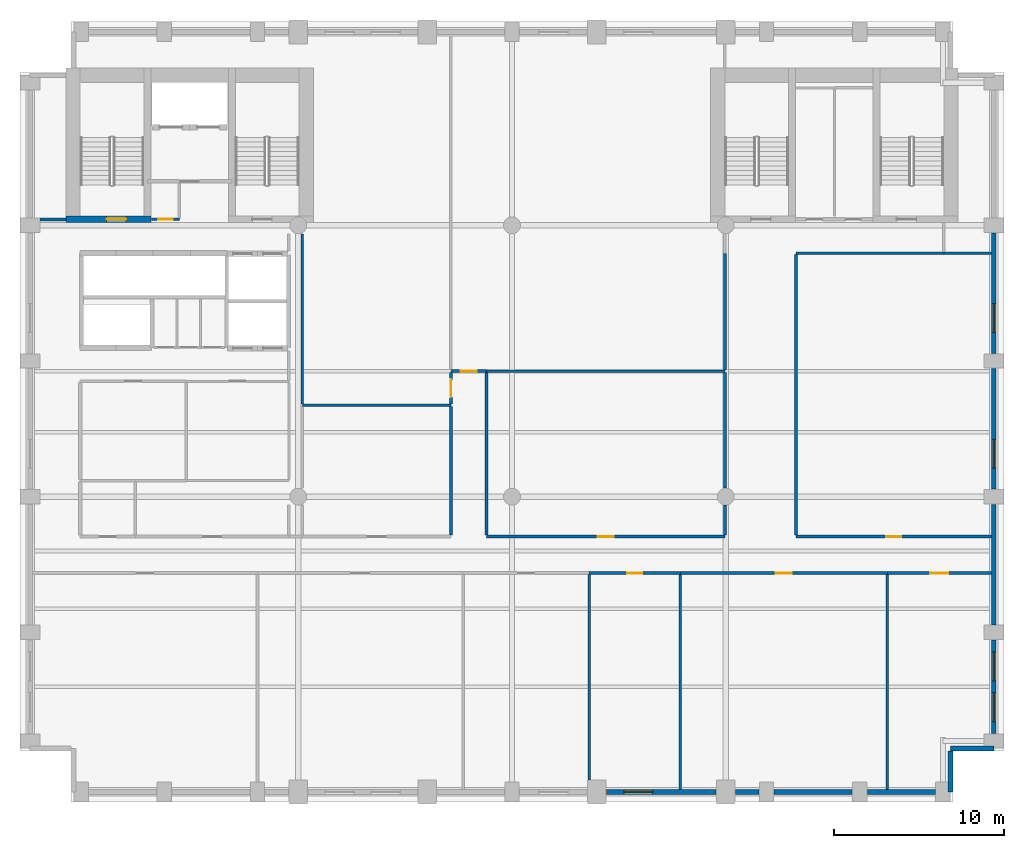
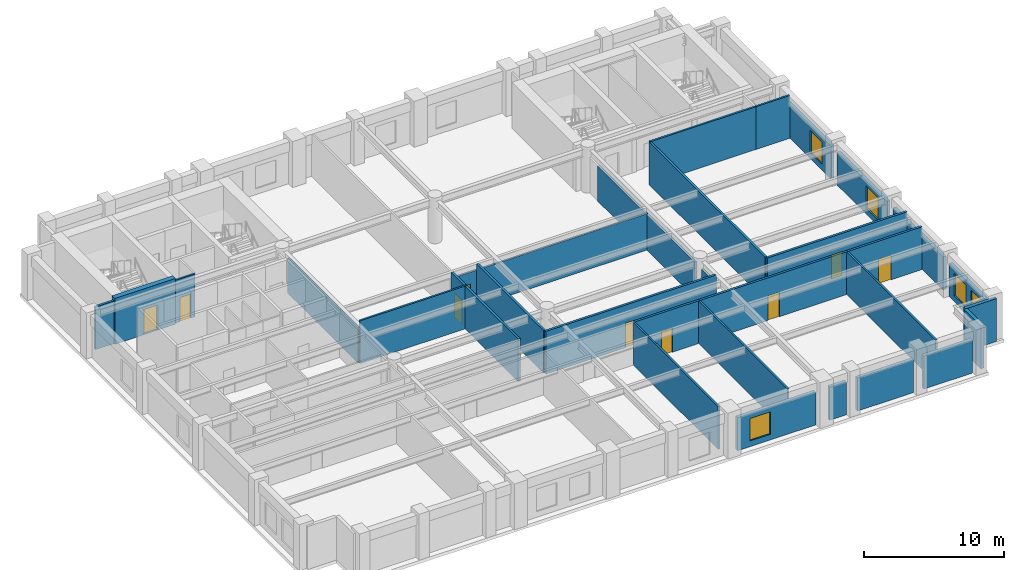
# One storey, part 4 of 8: 34 walls, 9 doors, 5 windows, 14 openings.
"""IFC4 building model written with IfcOpenShell, lengths in metres."""

from ifc_helpers import new_model, si_unit, direction, frame, frame_2d, origin, place, context, subcontext, project, spatial, rectangle, extrude, material, layer, layer_set, type_object, element, fill, save


model = new_model("IFC4")

# Units and contexts
model_context = context("Model", 3, precision=1e-05, world=origin(), true_north=direction((0.0, 1.0)))
body_context = subcontext(model_context, "Body", "Model", "MODEL_VIEW")
ifc_project = project(units=[si_unit("LENGTHUNIT", "METRE"), si_unit("AREAUNIT", "SQUARE_METRE"), si_unit("VOLUMEUNIT", "CUBIC_METRE"), si_unit("PLANEANGLEUNIT", "RADIAN"), si_unit("MASSUNIT", "GRAM", prefix="KILO")], contexts=[model_context])

# Site, building, storey
site_placement = place(None, origin())
site = spatial("IfcSite", under=ifc_project, at=site_placement, CompositionType="ELEMENT")
building_placement = place(site_placement, origin())
building = spatial("IfcBuilding", under=site, at=building_placement, Name="Sulina Concourse Tower", CompositionType="ELEMENT")
storey_placement = place(building_placement, frame((0.0, 0.0, 112.60009765625)))
storey = spatial("IfcBuildingStorey", under=building, at=storey_placement, Name="L27", CompositionType="ELEMENT", Elevation=112.60009765625)

# Walls
ifc_material_1 = material(Name="Gypsum board on steel stud", Category="steel")
ifc_layer_1 = layer(ifc_material_1, 0.14990234375)
ifc_layer_set_1 = layer_set([ifc_layer_1], Name="Gypsum board on steel stud")
wall_type_1 = type_object("IfcWallType", Name="Inter-Tenancy Acoustic Partition 150mm", PredefinedType="PARTITIONING", material=ifc_layer_set_1)
wall_1_placement = place(storey_placement, frame((16.64990234375, 23.39990234375, 0.0), z_axis=(0.0, 0.0, 1.0), x_axis=(1.0, 0.0, 0.0)))
element("IfcWall", 1, at=wall_1_placement, inside=storey, type_object=wall_type_1, Name="L27 interior partition 016", PredefinedType="PARTITIONING", context=body_context, shape_type="SweptSolid", body=[
    extrude(rectangle(XDim=8.75, YDim=0.14990234375, at=frame_2d((4.375, 0.0))), origin(), (0.0, 0.0, 1.0), 3.724853515625),
])
wall_2_placement = place(storey_placement, frame((27.5, 25.39990234375, 0.0), z_axis=(0.0, 0.0, 1.0), x_axis=(1.0, 0.0, 0.0)))
element("IfcWall", 2, at=wall_2_placement, inside=storey, type_object=wall_type_1, Name="L27 interior partition 020", PredefinedType="PARTITIONING", context=body_context, shape_type="SweptSolid", body=[
    extrude(rectangle(XDim=14.050048828125, YDim=0.14990234375, at=frame_2d((7.02490234375, 0.0))), origin(), (0.0, 0.0, 1.0), 3.169921875),
])
wall_3_placement = place(storey_placement, frame((45.75, 32.35009765625, 0.0), z_axis=(0.0, 0.0, 1.0), x_axis=(1.0, 0.0, 0.0)))
element("IfcWall", 3, at=wall_3_placement, inside=storey, type_object=wall_type_1, Name="L27 interior partition 024", PredefinedType="PARTITIONING", context=body_context, shape_type="SweptSolid", body=[
    extrude(rectangle(XDim=8.699951171875, YDim=0.14990234375, at=frame_2d((4.35009765625, 0.0))), origin(), (0.0, 0.0, 1.0), 3.724853515625),
])
wall_4_placement = place(storey_placement, frame((54.449951171875, 32.35009765625, 0.0), z_axis=(0.0, 0.0, 1.0), x_axis=(1.0, 0.0, 0.0)))
element("IfcWall", 4, at=wall_4_placement, inside=storey, type_object=wall_type_1, Name="L27 interior partition 025", PredefinedType="PARTITIONING", context=body_context, shape_type="SweptSolid", body=[
    extrude(rectangle(XDim=2.81005859375, YDim=0.14990234375, at=frame_2d((1.405029296875, 0.0))), origin(), (0.0, 0.0, 1.0), 3.724853515625),
])

# Wall, opening, door
wall_5_placement = place(storey_placement, frame((7.75, 34.35009765625, 0.0), z_axis=(0.0, 0.0, 1.0), x_axis=(1.0, 0.0, 0.0)))
wall_5 = element("IfcWall", 5, at=wall_5_placement, inside=storey, type_object=wall_type_1, Name="L27 interior partition 027", PredefinedType="PARTITIONING", context=body_context, shape_type="SweptSolid", body=[
    extrude(rectangle(XDim=1.64990234375, YDim=0.14990234375, at=frame_2d((0.824951171875, 0.0))), origin(), (0.0, 0.0, 1.0), 3.724853515625),
])
opening_1_placement = place(wall_5_placement, frame((0.385009765625, 0.0, 0.0)))
opening_1 = element("IfcOpeningElement", 6, at=opening_1_placement, cuts=wall_5, Name="Opening DR-38", PredefinedType="OPENING", context=body_context, shape_type="SweptSolid", body=[
    extrude(rectangle(XDim=0.8798828125, YDim=2.10009765625, at=frame_2d((0.43994140625, 1.050048828125))), frame((0.0, 0.0849609375, 0.0), z_axis=(0.0, -1.0, 0.0), x_axis=(1.0, 0.0, 0.0)), (0.0, 0.0, 1.0), 0.169921875),
])
ifc_material_2 = material(Name="Galvanised steel acoustic fire leaf", Category="steel")
ifc_layer_2 = layer(ifc_material_2, 0.050048828125)
ifc_layer_set_2 = layer_set([ifc_layer_2], Name="Galvanised steel acoustic fire leaf")
door_type_1 = type_object("IfcDoorType", Name="Service Riser Fire Door 880x2100", OperationType="NOTDEFINED", PredefinedType="DOOR", material=ifc_layer_set_2)
door_1_placement = place(opening_1_placement, origin())
door_1 = element("IfcDoor", 7, at=door_1_placement, inside=storey, type_object=door_type_1, Name="L27 interior door L27-CLN-N", OperationType="SINGLE_SWING_RIGHT", OverallHeight=2.10009765625, OverallWidth=0.8798828125, PredefinedType="DOOR", context=body_context, shape_type="SweptSolid", body=[
    extrude(rectangle(XDim=0.8798828125, YDim=2.10009765625, at=frame_2d((0.43994140625, 1.050048828125))), frame((0.0, 0.02490234375, 0.0), z_axis=(0.0, -1.0, 0.0), x_axis=(1.0, 0.0, 0.0)), (0.0, 0.0, 1.0), 0.050048828125),
])
fill(opening_1, door_1)

# Walls
wall_6_placement = place(storey_placement, frame((16.64990234375, 23.47509765625, 0.0), z_axis=(0.0, 0.0, 1.0), x_axis=(0.0, 1.0, 0.0)))
element("IfcWall", 8, at=wall_6_placement, inside=storey, type_object=wall_type_1, Name="L27 interior partition 044", PredefinedType="PARTITIONING", context=body_context, shape_type="SweptSolid", body=[
    extrude(rectangle(XDim=10.02490234375, YDim=0.14990234375, at=frame_2d((5.012451171875, 0.0))), origin(), (0.0, 0.0, 1.0), 3.06982421875),
])
wall_7_placement = place(storey_placement, frame((33.5400390625, 1.300048828125, 0.0), z_axis=(0.0, 0.0, 1.0), x_axis=(0.0, 1.0, 0.0)))
element("IfcWall", 9, at=wall_7_placement, inside=storey, type_object=wall_type_1, Name="L27 interior partition 050", PredefinedType="PARTITIONING", context=body_context, shape_type="SweptSolid", body=[
    extrude(rectangle(XDim=12.10986328125, YDim=0.14990234375, at=frame_2d((6.054931640625, 0.0))), origin(), (0.0, 0.0, 1.0), 3.724853515625),
])
for number, where, z_axis, x_axis, name in (
    (10, (38.919921875, 0.739990234375, 0.0), (0.0, 0.0, 1.0), (0.0, 1.0, 0.0), "L27 interior partition 051"),
    (11, (51.1201171875, 0.739990234375, 0.0), (0.0, 0.0, 1.0), (0.0, 1.0, 0.0), "L27 interior partition 059"),
):
    element("IfcWall", number, at=place(storey_placement, frame(where, z_axis=z_axis, x_axis=x_axis)), inside=storey, type_object=wall_type_1, Name=name, PredefinedType="PARTITIONING", context=body_context, shape_type="SweptSolid", body=[
        extrude(rectangle(XDim=12.669921875, YDim=0.14990234375, at=frame_2d((6.3349609375, 0.0))), origin(), (0.0, 0.0, 1.0), 3.724853515625),
    ])

# Wall, opening, door
ifc_material_3 = material(Name="Gypsum board on steel stud", Category="steel")
ifc_layer_3 = layer(ifc_material_3, 0.179931640625)
ifc_layer_set_3 = layer_set([ifc_layer_3], Name="Gypsum board on steel stud")
wall_type_2 = type_object("IfcWallType", Name="Protected Corridor & Riser Partition 180mm", PredefinedType="PARTITIONING", material=ifc_layer_set_3)
wall_8_placement = place(storey_placement, frame((33.5400390625, 13.5, 0.0), z_axis=(0.0, 0.0, 1.0), x_axis=(1.0, 0.0, 0.0)))
wall_8 = element("IfcWall", 12, at=wall_8_placement, inside=storey, type_object=wall_type_2, Name="L27 interior partition 004", PredefinedType="PARTITIONING", context=body_context, shape_type="SweptSolid", body=[
    extrude(rectangle(XDim=5.3798828125, YDim=0.179931640625, at=frame_2d((2.68994140625, 0.0))), origin(), (0.0, 0.0, 1.0), 3.724853515625),
])
opening_2_placement = place(wall_8_placement, frame((2.25, 0.0, 0.0)))
opening_2 = element("IfcOpeningElement", 13, at=opening_2_placement, cuts=wall_8, Name="Opening DR-38", PredefinedType="OPENING", context=body_context, shape_type="SweptSolid", body=[
    extrude(rectangle(XDim=0.8798828125, YDim=2.10009765625, at=frame_2d((0.43994140625, 1.050048828125))), frame((0.0, 0.099853515625, 0.0), z_axis=(0.0, -1.0, 0.0), x_axis=(1.0, 0.0, 0.0)), (0.0, 0.0, 1.0), 0.199951171875),
])
door_2_placement = place(opening_2_placement, origin())
door_2 = element("IfcDoor", 14, at=door_2_placement, inside=storey, type_object=door_type_1, Name="L27 interior door L27-S03B", OperationType="SINGLE_SWING_RIGHT", OverallHeight=2.10009765625, OverallWidth=0.8798828125, PredefinedType="DOOR", context=body_context, shape_type="SweptSolid", body=[
    extrude(rectangle(XDim=0.8798828125, YDim=2.10009765625, at=frame_2d((0.43994140625, 1.050048828125))), frame((0.0, 0.02490234375, 0.0), z_axis=(0.0, -1.0, 0.0), x_axis=(1.0, 0.0, 0.0)), (0.0, 0.0, 1.0), 0.050048828125),
])
fill(opening_2, door_2)

wall_9_placement = place(storey_placement, frame((38.919921875, 13.5, 0.0), z_axis=(0.0, 0.0, 1.0), x_axis=(1.0, 0.0, 0.0)))
wall_9 = element("IfcWall", 15, at=wall_9_placement, inside=storey, type_object=wall_type_2, Name="L27 interior partition 005", PredefinedType="PARTITIONING", context=body_context, shape_type="SweptSolid", body=[
    extrude(rectangle(XDim=12.2001953125, YDim=0.179931640625, at=frame_2d((6.10009765625, 0.0))), origin(), (0.0, 0.0, 1.0), 3.724853515625),
])
opening_3_placement = place(wall_9_placement, frame((5.625, 0.0, 0.0)))
opening_3 = element("IfcOpeningElement", 16, at=opening_3_placement, cuts=wall_9, Name="Opening DR-19", PredefinedType="OPENING", context=body_context, shape_type="SweptSolid", body=[
    extrude(rectangle(XDim=0.949951171875, YDim=2.14990234375, at=frame_2d((0.47509765625, 1.074951171875))), frame((0.0, 0.099853515625, 0.0), z_axis=(0.0, -1.0, 0.0), x_axis=(1.0, 0.0, 0.0)), (0.0, 0.0, 1.0), 0.199951171875),
])
ifc_material_4 = material(Name="Oak-veneered acoustic timber leaf", Category="wood")
ifc_layer_4 = layer(ifc_material_4, 0.050048828125)
ifc_layer_set_4 = layer_set([ifc_layer_4], Name="Oak-veneered acoustic timber leaf")
door_type_2 = type_object("IfcDoorType", Name="Cellular Office & Meeting Door 950x2150", OperationType="NOTDEFINED", PredefinedType="DOOR", material=ifc_layer_set_4)
door_3_placement = place(opening_3_placement, origin())
door_3 = element("IfcDoor", 17, at=door_3_placement, inside=storey, type_object=door_type_2, Name="L27 interior door L27-S04", OperationType="SINGLE_SWING_LEFT", OverallHeight=2.14990234375, OverallWidth=0.949951171875, PredefinedType="DOOR", context=body_context, shape_type="SweptSolid", body=[
    extrude(rectangle(XDim=0.949951171875, YDim=2.14990234375, at=frame_2d((0.47509765625, 1.074951171875))), frame((0.0, 0.02490234375, 0.0), z_axis=(0.0, -1.0, 0.0), x_axis=(1.0, 0.0, 0.0)), (0.0, 0.0, 1.0), 0.050048828125),
])
fill(opening_3, door_3)

wall_10_placement = place(storey_placement, frame((51.1201171875, 13.5, 0.0), z_axis=(0.0, 0.0, 1.0), x_axis=(1.0, 0.0, 0.0)))
wall_10 = element("IfcWall", 18, at=wall_10_placement, inside=storey, type_object=wall_type_2, Name="L27 interior partition 006", PredefinedType="PARTITIONING", context=body_context, shape_type="SweptSolid", body=[
    extrude(rectangle(XDim=6.139892578125, YDim=0.179931640625, at=frame_2d((3.06982421875, 0.0))), origin(), (0.0, 0.0, 1.0), 3.724853515625),
])
opening_4_placement = place(wall_10_placement, frame((2.544921875, 0.0, 0.0)))
opening_4 = element("IfcOpeningElement", 19, at=opening_4_placement, cuts=wall_10, Name="Opening DR-37", PredefinedType="OPENING", context=body_context, shape_type="SweptSolid", body=[
    extrude(rectangle(XDim=1.050048828125, YDim=2.14990234375, at=frame_2d((0.52490234375, 1.074951171875))), frame((0.0, 0.099853515625, 0.0), z_axis=(0.0, -1.0, 0.0), x_axis=(1.0, 0.0, 0.0)), (0.0, 0.0, 1.0), 0.199951171875),
])
ifc_material_5 = material(Name="Oak-veneered fire door leaf")
ifc_layer_5 = layer(ifc_material_5, 0.050048828125)
ifc_layer_set_5 = layer_set([ifc_layer_5], Name="Oak-veneered fire door leaf")
door_type_3 = type_object("IfcDoorType", Name="Tenant Suite Entrance Fire Door 1050x2150", OperationType="NOTDEFINED", PredefinedType="DOOR", material=ifc_layer_set_5)
door_4_placement = place(opening_4_placement, origin())
door_4 = element("IfcDoor", 20, at=door_4_placement, inside=storey, type_object=door_type_3, Name="L27 interior door L27-S05", OperationType="SINGLE_SWING_RIGHT", OverallHeight=2.14990234375, OverallWidth=1.050048828125, PredefinedType="DOOR", context=body_context, shape_type="SweptSolid", body=[
    extrude(rectangle(XDim=1.050048828125, YDim=2.14990234375, at=frame_2d((0.52490234375, 1.074951171875))), frame((0.0, 0.02490234375, 0.0), z_axis=(0.0, -1.0, 0.0), x_axis=(1.0, 0.0, 0.0)), (0.0, 0.0, 1.0), 0.050048828125),
])
fill(opening_4, door_4)

wall_11_placement = place(storey_placement, frame((27.5, 15.64990234375, 0.0), z_axis=(0.0, 0.0, 1.0), x_axis=(1.0, 0.0, 0.0)))
wall_11 = element("IfcWall", 21, at=wall_11_placement, inside=storey, type_object=wall_type_2, Name="L27 interior partition 011", PredefinedType="PARTITIONING", context=body_context, shape_type="SweptSolid", body=[
    extrude(rectangle(XDim=14.050048828125, YDim=0.179931640625, at=frame_2d((7.02490234375, 0.0))), origin(), (0.0, 0.0, 1.0), 3.724853515625),
])
opening_5_placement = place(wall_11_placement, frame((6.550048828125, 0.0, 0.0)))
opening_5 = element("IfcOpeningElement", 22, at=opening_5_placement, cuts=wall_11, Name="Opening DR-19", PredefinedType="OPENING", context=body_context, shape_type="SweptSolid", body=[
    extrude(rectangle(XDim=0.949951171875, YDim=2.14990234375, at=frame_2d((0.47509765625, 1.074951171875))), frame((0.0, 0.099853515625, 0.0), z_axis=(0.0, -1.0, 0.0), x_axis=(1.0, 0.0, 0.0)), (0.0, 0.0, 1.0), 0.199951171875),
])
door_5_placement = place(opening_5_placement, origin())
door_5 = element("IfcDoor", 23, at=door_5_placement, inside=storey, type_object=door_type_2, Name="L27 interior door L27-NC3", OperationType="SINGLE_SWING_RIGHT", OverallHeight=2.14990234375, OverallWidth=0.949951171875, PredefinedType="DOOR", context=body_context, shape_type="SweptSolid", body=[
    extrude(rectangle(XDim=0.949951171875, YDim=2.14990234375, at=frame_2d((0.47509765625, 1.074951171875))), frame((0.0, 0.02490234375, 0.0), z_axis=(0.0, -1.0, 0.0), x_axis=(1.0, 0.0, 0.0)), (0.0, 0.0, 1.0), 0.050048828125),
])
fill(opening_5, door_5)

wall_12_placement = place(storey_placement, frame((45.75, 15.64990234375, 0.0), z_axis=(0.0, 0.0, 1.0), x_axis=(1.0, 0.0, 0.0)))
wall_12 = element("IfcWall", 24, at=wall_12_placement, inside=storey, type_object=wall_type_2, Name="L27 interior partition 012", PredefinedType="PARTITIONING", context=body_context, shape_type="SweptSolid", body=[
    extrude(rectangle(XDim=11.510009765625, YDim=0.179931640625, at=frame_2d((5.7548828125, 0.0))), origin(), (0.0, 0.0, 1.0), 3.724853515625),
])
opening_6_placement = place(wall_12_placement, frame((5.31494140625, 0.0, 0.0)))
opening_6 = element("IfcOpeningElement", 25, at=opening_6_placement, cuts=wall_12, Name="Opening DR-38", PredefinedType="OPENING", context=body_context, shape_type="SweptSolid", body=[
    extrude(rectangle(XDim=0.8798828125, YDim=2.10009765625, at=frame_2d((0.43994140625, 1.050048828125))), frame((0.0, 0.099853515625, 0.0), z_axis=(0.0, -1.0, 0.0), x_axis=(1.0, 0.0, 0.0)), (0.0, 0.0, 1.0), 0.199951171875),
])
door_6_placement = place(opening_6_placement, origin())
door_6 = element("IfcDoor", 26, at=door_6_placement, inside=storey, type_object=door_type_1, Name="L27 interior door L27-NE1", OperationType="SINGLE_SWING_LEFT", OverallHeight=2.10009765625, OverallWidth=0.8798828125, PredefinedType="DOOR", context=body_context, shape_type="SweptSolid", body=[
    extrude(rectangle(XDim=0.8798828125, YDim=2.10009765625, at=frame_2d((0.43994140625, 1.050048828125))), frame((0.0, 0.02490234375, 0.0), z_axis=(0.0, -1.0, 0.0), x_axis=(1.0, 0.0, 0.0)), (0.0, 0.0, 1.0), 0.050048828125),
])
fill(opening_6, door_6)

wall_13_placement = place(storey_placement, frame((25.39990234375, 25.39990234375, 0.0), z_axis=(0.0, 0.0, 1.0), x_axis=(1.0, 0.0, 0.0)))
wall_13 = element("IfcWall", 27, at=wall_13_placement, inside=storey, type_object=wall_type_2, Name="L27 interior partition 019", PredefinedType="PARTITIONING", context=body_context, shape_type="SweptSolid", body=[
    extrude(rectangle(XDim=2.10009765625, YDim=0.179931640625, at=frame_2d((1.050048828125, 0.0))), origin(), (0.0, 0.0, 1.0), 3.169921875),
])
opening_7_placement = place(wall_13_placement, frame((0.574951171875, 0.0, 0.0)))
opening_7 = element("IfcOpeningElement", 28, at=opening_7_placement, cuts=wall_13, Name="Opening DR-19", PredefinedType="OPENING", context=body_context, shape_type="SweptSolid", body=[
    extrude(rectangle(XDim=0.949951171875, YDim=2.14990234375, at=frame_2d((0.47509765625, 1.074951171875))), frame((0.0, 0.099853515625, 0.0), z_axis=(0.0, -1.0, 0.0), x_axis=(1.0, 0.0, 0.0)), (0.0, 0.0, 1.0), 0.199951171875),
])
door_7_placement = place(opening_7_placement, origin())
door_7 = element("IfcDoor", 29, at=door_7_placement, inside=storey, type_object=door_type_2, Name="L27 interior door L27-NC4", OperationType="SINGLE_SWING_RIGHT", OverallHeight=2.14990234375, OverallWidth=0.949951171875, PredefinedType="DOOR", context=body_context, shape_type="SweptSolid", body=[
    extrude(rectangle(XDim=0.949951171875, YDim=2.14990234375, at=frame_2d((0.47509765625, 1.074951171875))), frame((0.0, 0.02490234375, 0.0), z_axis=(0.0, -1.0, 0.0), x_axis=(1.0, 0.0, 0.0)), (0.0, 0.0, 1.0), 0.050048828125),
])
fill(opening_7, door_7)

# Walls
wall_14_placement = place(storey_placement, frame((1.175048828125, 34.35009765625, 0.0), z_axis=(0.0, 0.0, 1.0), x_axis=(1.0, 0.0, 0.0)))
element("IfcWall", 30, at=wall_14_placement, inside=storey, type_object=wall_type_2, Name="L27 interior partition 026", PredefinedType="PARTITIONING", context=body_context, shape_type="SweptSolid", body=[
    extrude(rectangle(XDim=1.52490234375, YDim=0.179931640625, at=frame_2d((0.762451171875, 0.0))), origin(), (0.0, 0.0, 1.0), 3.724853515625),
])
wall_15_placement = place(storey_placement, frame((25.39990234375, 15.739990234375, 0.0), z_axis=(0.0, 0.0, 1.0), x_axis=(0.0, 1.0, 0.0)))
element("IfcWall", 31, at=wall_15_placement, inside=storey, type_object=wall_type_2, Name="L27 interior partition 045", PredefinedType="PARTITIONING", context=body_context, shape_type="SweptSolid", body=[
    extrude(rectangle(XDim=7.5849609375, YDim=0.179931640625, at=frame_2d((3.79248046875, 0.0))), origin(), (0.0, 0.0, 1.0), 3.724853515625),
])

# Wall, opening, door
wall_16_placement = place(storey_placement, frame((25.39990234375, 23.47509765625, 0.0), z_axis=(0.0, 0.0, 1.0), x_axis=(0.0, 1.0, 0.0)))
wall_16 = element("IfcWall", 32, at=wall_16_placement, inside=storey, type_object=wall_type_2, Name="L27 interior partition 046", PredefinedType="PARTITIONING", context=body_context, shape_type="SweptSolid", body=[
    extrude(rectangle(XDim=1.8349609375, YDim=0.179931640625, at=frame_2d((0.91748046875, 0.0))), origin(), (0.0, 0.0, 1.0), 3.724853515625),
])
opening_8_placement = place(wall_16_placement, frame((0.392578125, 0.0, 0.0)))
opening_8 = element("IfcOpeningElement", 33, at=opening_8_placement, cuts=wall_16, Name="Opening DR-37", PredefinedType="OPENING", context=body_context, shape_type="SweptSolid", body=[
    extrude(rectangle(XDim=1.050048828125, YDim=2.14990234375, at=frame_2d((0.52490234375, 1.074951171875))), frame((0.0, 0.099853515625, 0.0), z_axis=(0.0, -1.0, 0.0), x_axis=(1.0, 0.0, 0.0)), (0.0, 0.0, 1.0), 0.199951171875),
])
door_8_placement = place(opening_8_placement, origin())
door_8 = element("IfcDoor", 34, at=door_8_placement, inside=storey, type_object=door_type_3, Name="L27 interior door L27-NC2", OperationType="SINGLE_SWING_LEFT", OverallHeight=2.14990234375, OverallWidth=1.050048828125, PredefinedType="DOOR", context=body_context, shape_type="SweptSolid", body=[
    extrude(rectangle(XDim=1.050048828125, YDim=2.14990234375, at=frame_2d((0.52490234375, 1.074951171875))), frame((0.0, 0.02490234375, 0.0), z_axis=(0.0, -1.0, 0.0), x_axis=(1.0, 0.0, 0.0)), (0.0, 0.0, 1.0), 0.050048828125),
])
fill(opening_8, door_8)

# Walls
wall_17_placement = place(storey_placement, frame((27.5, 15.739990234375, 0.0), z_axis=(0.0, 0.0, 1.0), x_axis=(0.0, 1.0, 0.0)))
element("IfcWall", 35, at=wall_17_placement, inside=storey, type_object=wall_type_2, Name="L27 interior partition 049", PredefinedType="PARTITIONING", context=body_context, shape_type="SweptSolid", body=[
    extrude(rectangle(XDim=9.570068359375, YDim=0.179931640625, at=frame_2d((4.78515625, 0.0))), origin(), (0.0, 0.0, 1.0), 3.724853515625),
])
wall_18_placement = place(storey_placement, frame((41.550048828125, 15.739990234375, 0.0), z_axis=(0.0, 0.0, 1.0), x_axis=(0.0, 1.0, 0.0)))
element("IfcWall", 36, at=wall_18_placement, inside=storey, type_object=wall_type_2, Name="L27 interior partition 052", PredefinedType="PARTITIONING", context=body_context, shape_type="SweptSolid", body=[
    extrude(rectangle(XDim=1.760009765625, YDim=0.179931640625, at=frame_2d((0.8798828125, 0.0))), origin(), (0.0, 0.0, 1.0), 3.06982421875),
])
wall_19_placement = place(storey_placement, frame((41.550048828125, 18.5, 0.0), z_axis=(0.0, 0.0, 1.0), x_axis=(0.0, 1.0, 0.0)))
element("IfcWall", 37, at=wall_19_placement, inside=storey, type_object=wall_type_2, Name="L27 interior partition 053", PredefinedType="PARTITIONING", context=body_context, shape_type="SweptSolid", body=[
    extrude(rectangle(XDim=6.824951171875, YDim=0.179931640625, at=frame_2d((3.41259765625, 0.0))), origin(), (0.0, 0.0, 1.0), 3.06982421875),
])
wall_20_placement = place(storey_placement, frame((41.550048828125, 25.47509765625, 0.0), z_axis=(0.0, 0.0, 1.0), x_axis=(0.0, 1.0, 0.0)))
element("IfcWall", 38, at=wall_20_placement, inside=storey, type_object=wall_type_2, Name="L27 interior partition 054", PredefinedType="PARTITIONING", context=body_context, shape_type="SweptSolid", body=[
    extrude(rectangle(XDim=6.875, YDim=0.179931640625, at=frame_2d((3.4375, 0.0))), origin(), (0.0, 0.0, 1.0), 3.06982421875),
])
wall_21_placement = place(storey_placement, frame((45.75, 15.739990234375, 0.0), z_axis=(0.0, 0.0, 1.0), x_axis=(0.0, 1.0, 0.0)))
element("IfcWall", 39, at=wall_21_placement, inside=storey, type_object=wall_type_2, Name="L27 interior partition 057", PredefinedType="PARTITIONING", context=body_context, shape_type="SweptSolid", body=[
    extrude(rectangle(XDim=16.534912109375, YDim=0.179931640625, at=frame_2d((8.267578125, 0.0))), origin(), (0.0, 0.0, 1.0), 3.724853515625),
])

# Wall, opening, door
ifc_material_6 = material(Name="Concrete C60/75", Category="concrete")
ifc_layer_6 = layer(ifc_material_6, 0.39990234375)
ifc_layer_set_6 = layer_set([ifc_layer_6], Name="Concrete C60/75")
wall_type_3 = type_object("IfcWallType", Name="Protected Stair Core Shear Wall 400mm", PredefinedType="SHEAR", material=ifc_layer_set_6)
wall_22_placement = place(storey_placement, frame((2.699951171875, 34.35009765625, 0.0), z_axis=(0.0, 0.0, 1.0), x_axis=(1.0, 0.0, 0.0)))
wall_22 = element("IfcWall", 40, at=wall_22_placement, inside=storey, type_object=wall_type_3, Name="L27 west core shear wall CW-WS1", PredefinedType="SHEAR", context=body_context, shape_type="SweptSolid", body=[
    extrude(rectangle(XDim=5.010009765625, YDim=0.39990234375, at=frame_2d((2.5048828125, 0.0))), origin(), (0.0, 0.0, 1.0), 4.0),
])
opening_9_placement = place(wall_22_placement, frame((2.39990234375, 0.0, 0.0)))
opening_9 = element("IfcOpeningElement", 41, at=opening_9_placement, cuts=wall_22, Name="Opening DR-60", PredefinedType="OPENING", context=body_context, shape_type="SweptSolid", body=[
    extrude(rectangle(XDim=1.14990234375, YDim=2.199951171875, at=frame_2d((0.574951171875, 1.10009765625))), frame((0.0, 0.2099609375, 0.0), z_axis=(0.0, -1.0, 0.0), x_axis=(1.0, 0.0, 0.0)), (0.0, 0.0, 1.0), 0.419921875),
])
ifc_material_7 = material(Name="Galvanised steel acoustic fire leaf", Category="steel")
ifc_layer_7 = layer(ifc_material_7, 0.054931640625)
ifc_layer_set_7 = layer_set([ifc_layer_7], Name="Galvanised steel acoustic fire leaf")
door_type_4 = type_object("IfcDoorType", Name="Protected Exit Stair Fire Door 1150x2200", OperationType="NOTDEFINED", PredefinedType="DOOR", material=ifc_layer_set_7)
door_9_placement = place(opening_9_placement, origin())
door_9 = element("IfcDoor", 42, at=door_9_placement, inside=storey, type_object=door_type_4, Name="L27 stair ST-1 lobby fire door", OperationType="SINGLE_SWING_RIGHT", OverallHeight=2.199951171875, OverallWidth=1.14990234375, PredefinedType="DOOR", context=body_context, shape_type="SweptSolid", body=[
    extrude(rectangle(XDim=1.14990234375, YDim=2.199951171875, at=frame_2d((0.574951171875, 1.10009765625))), frame((0.0, 0.02490234375, 0.0), z_axis=(0.0, -1.0, 0.0), x_axis=(1.0, 0.0, 0.0)), (0.0, 0.0, 1.0), 0.050048828125),
])
fill(opening_9, door_9)

# Wall, opening, window
ifc_material_8 = material(Name="Precast concrete C50/60", Category="concrete")
ifc_layer_8 = layer(ifc_material_8, 0.280029296875)
ifc_layer_set_8 = layer_set([ifc_layer_8], Name="Precast concrete C50/60")
wall_type_4 = type_object("IfcWallType", Name="Typical Precast Masonry-Frame Facade Wall 280mm", PredefinedType="SOLIDWALL", material=ifc_layer_set_8)
wall_23_placement = place(storey_placement, frame((41.030029296875, 0.60009765625, 0.0), z_axis=(0.0, 0.0, 1.0), x_axis=(-1.0, 0.0, 0.0)))
wall_23 = element("IfcWall", 43, at=wall_23_placement, inside=storey, type_object=wall_type_4, Name="L27 exterior precast wall S7", PredefinedType="SOLIDWALL", context=body_context, shape_type="SweptSolid", body=[
    extrude(rectangle(XDim=6.4599609375, YDim=0.280029296875, at=frame_2d((3.22998046875, 0.0))), origin(), (0.0, 0.0, 1.0), 2.875),
])
opening_10_placement = place(wall_23_placement, frame((3.739990234375, 0.0, 0.5)))
opening_10 = element("IfcOpeningElement", 44, at=opening_10_placement, cuts=wall_23, Name="Opening WN-66", PredefinedType="OPENING", context=body_context, shape_type="SweptSolid", body=[
    extrude(rectangle(XDim=1.699951171875, YDim=1.949951171875, at=frame_2d((0.85009765625, 0.97509765625))), frame((0.0, 0.14990234375, 0.0), z_axis=(0.0, -1.0, 0.0), x_axis=(1.0, 0.0, 0.0)), (0.0, 0.0, 1.0), 0.300048828125),
])
ifc_material_9 = material(Name="Low-E solar double glazing in bronze aluminium", Category="aluminium")
window_type = type_object("IfcWindowType", Name="Recessed Spandrel Window 1700x1950", PartitioningType="SINGLE_PANEL", PredefinedType="WINDOW", material=ifc_material_9)
window_1_placement = place(opening_10_placement, origin())
window_1 = element("IfcWindow", 45, at=window_1_placement, inside=storey, type_object=window_type, Name="L27 punched window S7-1", OverallHeight=1.949951171875, OverallWidth=1.699951171875, PartitioningType="SINGLE_PANEL", PredefinedType="WINDOW", context=body_context, shape_type="SweptSolid", body=[
    extrude(rectangle(XDim=1.699951171875, YDim=1.949951171875, at=frame_2d((0.85009765625, 0.97509765625))), frame((0.0, 0.030029296875, 0.0), z_axis=(0.0, -1.0, 0.0), x_axis=(1.0, 0.0, 0.0)), (0.0, 0.0, 1.0), 0.06005859375),
])
fill(opening_10, window_1)

# Walls
wall_24_placement = place(storey_placement, frame((43.554931640625, 0.60009765625, 0.0), z_axis=(0.0, 0.0, 1.0), x_axis=(-1.0, 0.0, 0.0)))
element("IfcWall", 46, at=wall_24_placement, inside=storey, type_object=wall_type_4, Name="L27 exterior precast wall S8", PredefinedType="SOLIDWALL", context=body_context, shape_type="SweptSolid", body=[
    extrude(rectangle(XDim=1.385009765625, YDim=0.280029296875, at=frame_2d((0.6923828125, 0.0))), origin(), (0.0, 0.0, 1.0), 2.875),
])
wall_25_placement = place(storey_placement, frame((49.054931640625, 0.60009765625, 0.0), z_axis=(0.0, 0.0, 1.0), x_axis=(-1.0, 0.0, 0.0)))
element("IfcWall", 47, at=wall_25_placement, inside=storey, type_object=wall_type_4, Name="L27 exterior precast wall S9", PredefinedType="SOLIDWALL", context=body_context, shape_type="SweptSolid", body=[
    extrude(rectangle(XDim=4.60986328125, YDim=0.280029296875, at=frame_2d((2.304931640625, 0.0))), origin(), (0.0, 0.0, 1.0), 2.875),
])
wall_26_placement = place(storey_placement, frame((53.955078125, 0.60009765625, 0.0), z_axis=(0.0, 0.0, 1.0), x_axis=(-1.0, 0.0, 0.0)))
element("IfcWall", 48, at=wall_26_placement, inside=storey, type_object=wall_type_4, Name="L27 exterior precast wall S10", PredefinedType="SOLIDWALL", context=body_context, shape_type="SweptSolid", body=[
    extrude(rectangle(XDim=4.010009765625, YDim=0.280029296875, at=frame_2d((2.0048828125, 0.0))), origin(), (0.0, 0.0, 1.0), 2.875),
])

# Wall, openings, windows
wall_27_placement = place(storey_placement, frame((57.39990234375, 9.554931640625, 0.0), z_axis=(0.0, 0.0, 1.0), x_axis=(0.0, -1.0, 0.0)))
wall_27 = element("IfcWall", 49, at=wall_27_placement, inside=storey, type_object=wall_type_4, Name="L27 exterior precast wall E1", PredefinedType="SOLIDWALL", context=body_context, shape_type="SweptSolid", body=[
    extrude(rectangle(XDim=5.510009765625, YDim=0.280029296875, at=frame_2d((2.7548828125, 0.0))), origin(), (0.0, 0.0, 1.0), 2.875),
])
opening_11_placement = place(wall_27_placement, frame((0.703369140625, 0.0, 0.5)))
opening_11 = element("IfcOpeningElement", 50, at=opening_11_placement, cuts=wall_27, Name="Opening WN-66", PredefinedType="OPENING", context=body_context, shape_type="SweptSolid", body=[
    extrude(rectangle(XDim=1.699951171875, YDim=1.949951171875, at=frame_2d((0.85009765625, 0.97509765625))), frame((0.0, 0.14990234375, 0.0), z_axis=(0.0, -1.0, 0.0), x_axis=(1.0, 0.0, 0.0)), (0.0, 0.0, 1.0), 0.300048828125),
])
opening_12_placement = place(wall_27_placement, frame((3.106689453125, 0.0, 0.5)))
opening_12 = element("IfcOpeningElement", 51, at=opening_12_placement, cuts=wall_27, Name="Opening WN-66", PredefinedType="OPENING", context=body_context, shape_type="SweptSolid", body=[
    extrude(rectangle(XDim=1.699951171875, YDim=1.949951171875, at=frame_2d((0.85009765625, 0.97509765625))), frame((0.0, 0.14990234375, 0.0), z_axis=(0.0, -1.0, 0.0), x_axis=(1.0, 0.0, 0.0)), (0.0, 0.0, 1.0), 0.300048828125),
])
window_2_placement = place(opening_11_placement, origin())
window_2 = element("IfcWindow", 52, at=window_2_placement, inside=storey, type_object=window_type, Name="L27 punched window E1-1", OverallHeight=1.949951171875, OverallWidth=1.699951171875, PartitioningType="SINGLE_PANEL", PredefinedType="WINDOW", context=body_context, shape_type="SweptSolid", body=[
    extrude(rectangle(XDim=1.699951171875, YDim=1.949951171875, at=frame_2d((0.85009765625, 0.97509765625))), frame((0.0, 0.030029296875, 0.0), z_axis=(0.0, -1.0, 0.0), x_axis=(1.0, 0.0, 0.0)), (0.0, 0.0, 1.0), 0.06005859375),
])
fill(opening_11, window_2)
window_3_placement = place(opening_12_placement, origin())
window_3 = element("IfcWindow", 53, at=window_3_placement, inside=storey, type_object=window_type, Name="L27 punched window E1-2", OverallHeight=1.949951171875, OverallWidth=1.699951171875, PartitioningType="SINGLE_PANEL", PredefinedType="WINDOW", context=body_context, shape_type="SweptSolid", body=[
    extrude(rectangle(XDim=1.699951171875, YDim=1.949951171875, at=frame_2d((0.85009765625, 0.97509765625))), frame((0.0, 0.030029296875, 0.0), z_axis=(0.0, -1.0, 0.0), x_axis=(1.0, 0.0, 0.0)), (0.0, 0.0, 1.0), 0.06005859375),
])
fill(opening_12, window_3)

# Wall
wall_28_placement = place(storey_placement, frame((57.39990234375, 17.554931640625, 0.0), z_axis=(0.0, 0.0, 1.0), x_axis=(0.0, -1.0, 0.0)))
element("IfcWall", 54, at=wall_28_placement, inside=storey, type_object=wall_type_4, Name="L27 exterior precast wall E2", PredefinedType="SOLIDWALL", context=body_context, shape_type="SweptSolid", body=[
    extrude(rectangle(XDim=7.10986328125, YDim=0.280029296875, at=frame_2d((3.554931640625, 0.0))), origin(), (0.0, 0.0, 1.0), 2.875),
])

# Wall, opening, window
wall_29_placement = place(storey_placement, frame((57.39990234375, 25.554931640625, 0.0), z_axis=(0.0, 0.0, 1.0), x_axis=(0.0, -1.0, 0.0)))
wall_29 = element("IfcWall", 55, at=wall_29_placement, inside=storey, type_object=wall_type_4, Name="L27 exterior precast wall E3", PredefinedType="SOLIDWALL", context=body_context, shape_type="SweptSolid", body=[
    extrude(rectangle(XDim=7.10986328125, YDim=0.280029296875, at=frame_2d((3.554931640625, 0.0))), origin(), (0.0, 0.0, 1.0), 2.875),
])
opening_13_placement = place(wall_29_placement, frame((4.17333984375, 0.0, 0.5)))
opening_13 = element("IfcOpeningElement", 56, at=opening_13_placement, cuts=wall_29, Name="Opening WN-66", PredefinedType="OPENING", context=body_context, shape_type="SweptSolid", body=[
    extrude(rectangle(XDim=1.699951171875, YDim=1.949951171875, at=frame_2d((0.85009765625, 0.97509765625))), frame((0.0, 0.14990234375, 0.0), z_axis=(0.0, -1.0, 0.0), x_axis=(1.0, 0.0, 0.0)), (0.0, 0.0, 1.0), 0.300048828125),
])
window_4_placement = place(opening_13_placement, origin())
window_4 = element("IfcWindow", 57, at=window_4_placement, inside=storey, type_object=window_type, Name="L27 punched window E3-1", OverallHeight=1.949951171875, OverallWidth=1.699951171875, PartitioningType="SINGLE_PANEL", PredefinedType="WINDOW", context=body_context, shape_type="SweptSolid", body=[
    extrude(rectangle(XDim=1.699951171875, YDim=1.949951171875, at=frame_2d((0.85009765625, 0.97509765625))), frame((0.0, 0.030029296875, 0.0), z_axis=(0.0, -1.0, 0.0), x_axis=(1.0, 0.0, 0.0)), (0.0, 0.0, 1.0), 0.06005859375),
])
fill(opening_13, window_4)

wall_30_placement = place(storey_placement, frame((57.39990234375, 33.554931640625, 0.0), z_axis=(0.0, 0.0, 1.0), x_axis=(0.0, -1.0, 0.0)))
wall_30 = element("IfcWall", 58, at=wall_30_placement, inside=storey, type_object=wall_type_4, Name="L27 exterior precast wall E4", PredefinedType="SOLIDWALL", context=body_context, shape_type="SweptSolid", body=[
    extrude(rectangle(XDim=7.10986328125, YDim=0.280029296875, at=frame_2d((3.554931640625, 0.0))), origin(), (0.0, 0.0, 1.0), 2.875),
])
opening_14_placement = place(wall_30_placement, frame((4.17333984375, 0.0, 0.5)))
opening_14 = element("IfcOpeningElement", 59, at=opening_14_placement, cuts=wall_30, Name="Opening WN-66", PredefinedType="OPENING", context=body_context, shape_type="SweptSolid", body=[
    extrude(rectangle(XDim=1.699951171875, YDim=1.949951171875, at=frame_2d((0.85009765625, 0.97509765625))), frame((0.0, 0.14990234375, 0.0), z_axis=(0.0, -1.0, 0.0), x_axis=(1.0, 0.0, 0.0)), (0.0, 0.0, 1.0), 0.300048828125),
])
window_5_placement = place(opening_14_placement, origin())
window_5 = element("IfcWindow", 60, at=window_5_placement, inside=storey, type_object=window_type, Name="L27 punched window E4-1", OverallHeight=1.949951171875, OverallWidth=1.699951171875, PartitioningType="SINGLE_PANEL", PredefinedType="WINDOW", context=body_context, shape_type="SweptSolid", body=[
    extrude(rectangle(XDim=1.699951171875, YDim=1.949951171875, at=frame_2d((0.85009765625, 0.97509765625))), frame((0.0, 0.030029296875, 0.0), z_axis=(0.0, -1.0, 0.0), x_axis=(1.0, 0.0, 0.0)), (0.0, 0.0, 1.0), 0.06005859375),
])
fill(opening_14, window_5)

# Walls
wall_31_placement = place(storey_placement, frame((57.39990234375, 3.155029296875, 0.0), z_axis=(0.0, 0.0, 1.0), x_axis=(-1.0, 0.0, 0.0)))
element("IfcWall", 61, at=wall_31_placement, inside=storey, type_object=wall_type_4, Name="L27 exterior precast wall CSE1", PredefinedType="SOLIDWALL", context=body_context, shape_type="SweptSolid", body=[
    extrude(rectangle(XDim=2.554931640625, YDim=0.280029296875, at=frame_2d((1.27734375, 0.0))), origin(), (0.0, 0.0, 1.0), 3.724853515625),
])
wall_32_placement = place(storey_placement, frame((54.844970703125, 3.010009765625, 0.0), z_axis=(0.0, 0.0, 1.0), x_axis=(0.0, -1.0, 0.0)))
element("IfcWall", 62, at=wall_32_placement, inside=storey, type_object=wall_type_4, Name="L27 exterior precast wall CSE2", PredefinedType="SOLIDWALL", context=body_context, shape_type="SweptSolid", body=[
    extrude(rectangle(XDim=2.409912109375, YDim=0.280029296875, at=frame_2d((1.205078125, 0.0))), origin(), (0.0, 0.0, 1.0), 3.724853515625),
])

save(model, "model.ifc")
